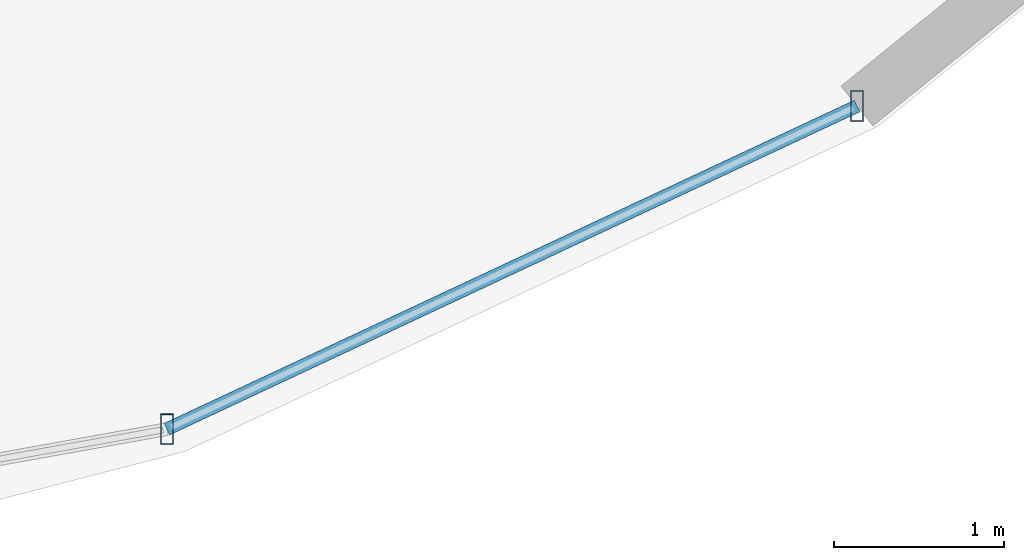
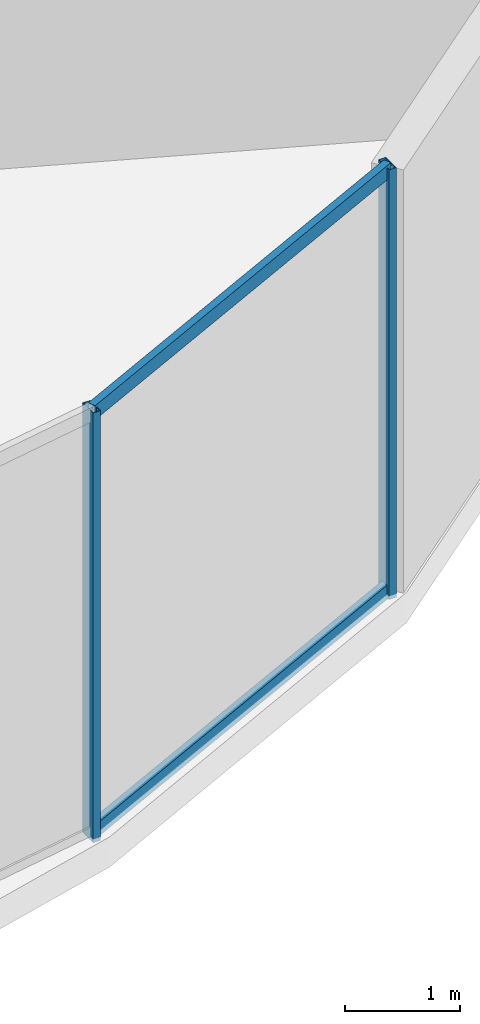
# One storey, part 10 of 27: 4 members, 1 element without a shape of its own.
"""IFC4 building model written with IfcOpenShell, lengths in metres."""

from ifc_helpers import new_model, si_unit, direction, frame, origin, origin_2d, place, context, subcontext, project, spatial, hollow_rectangle, extrude, material, material_profile, profile_set, type_object, element, aggregate, save


model = new_model("IFC4")

# Units and contexts
model_context = context("Model", 3, precision=1e-05, world=origin(), true_north=direction((0.0, 1.0)))
body_context = subcontext(model_context, "Body", "Model", "MODEL_VIEW")
ifc_project = project(units=[si_unit("LENGTHUNIT", "METRE"), si_unit("AREAUNIT", "SQUARE_METRE"), si_unit("VOLUMEUNIT", "CUBIC_METRE"), si_unit("PLANEANGLEUNIT", "RADIAN"), si_unit("MASSUNIT", "GRAM", prefix="KILO")], contexts=[model_context])

# Site, building, storey
site_placement = place(None, origin())
site = spatial("IfcSite", under=ifc_project, at=site_placement, CompositionType="ELEMENT")
building_placement = place(site_placement, origin())
building = spatial("IfcBuilding", under=site, at=building_placement, Name="Vorneva Point Tower", CompositionType="ELEMENT")
storey_placement = place(building_placement, frame((0.0, 0.0, 4.800048828125)))
storey = spatial("IfcBuildingStorey", under=building, at=storey_placement, Name="L01", CompositionType="ELEMENT", Elevation=4.800048828125)

# Curtain wall, members
ifc_material = material(Name="Pale anodised aluminium", Category="aluminium")
curtain_wall_type = type_object("IfcCurtainWallType", Name="CW-POD-SYS", PredefinedType="NOTDEFINED", material=ifc_material)
curtain_wall_placement = place(storey_placement, origin())
curtain_wall = element("IfcCurtainWall", 1, at=curtain_wall_placement, inside=storey, type_object=curtain_wall_type, Name="L01 Unitised Curtain Wall CW-L01-R04", PredefinedType="NOTDEFINED")
ifc_material_profile_1 = material_profile(ifc_material, hollow_rectangle(XDim=0.074951171875, YDim=0.179931640625, WallThickness=0.00390625, at=origin_2d()), Name="AL-MUL 180x75x4")
ifc_profile_set_1 = profile_set([ifc_material_profile_1], Name="Pale anodised aluminium")
member_type_1 = type_object("IfcMemberType", Name="CW-MUL-180", PredefinedType="MULLION", material=ifc_profile_set_1)
member_1_placement = place(storey_placement, frame((61.962890625, 5.135986328125, -0.0400390625), z_axis=(0.0, 0.0, 1.0), x_axis=(1.0, 0.0, 0.0)))
member_1 = element("IfcMember", 2, at=member_1_placement, type_object=member_type_1, Name="CW-L01-R04 Mullion 03", PredefinedType="MULLION", context=body_context, shape_type="SweptSolid", body=[
    extrude(hollow_rectangle(XDim=0.074951171875, YDim=0.179931640625, WallThickness=0.00390625, at=origin_2d()), origin(), (0.0, 0.0, 1.0), 4.550048828125),
])
member_2_placement = place(storey_placement, frame((66.0224609375, 7.03662109375, -0.0400390625), z_axis=(0.0, 0.0, 1.0), x_axis=(1.0, 0.0, 0.0)))
member_2 = element("IfcMember", 3, at=member_2_placement, type_object=member_type_1, Name="CW-L01-R04 Mullion 04", PredefinedType="MULLION", context=body_context, shape_type="SweptSolid", body=[
    extrude(hollow_rectangle(XDim=0.074951171875, YDim=0.179931640625, WallThickness=0.00390625, at=origin_2d()), origin(), (0.0, 0.0, 1.0), 4.550048828125),
])
ifc_material_profile_2 = material_profile(ifc_material, hollow_rectangle(XDim=0.074951171875, YDim=0.14990234375, WallThickness=0.00390625, at=origin_2d()), Name="AL-TRN 150x75x4")
ifc_profile_set_2 = profile_set([ifc_material_profile_2], Name="Pale anodised aluminium")
member_type_2 = type_object("IfcMemberType", Name="CW-TRN-150", PredefinedType="USERDEFINED", material=ifc_profile_set_2)
member_3_placement = place(storey_placement, frame((61.962890625, 5.135986328125, 0.02001953125), z_axis=(0.905655072563, 0.424015199657, 0.0), x_axis=(-0.424015199657, 0.905655072563, 0.0)))
member_3 = element("IfcMember", 4, at=member_3_placement, type_object=member_type_2, Name="CW-L01-R04 Transom 03.1", ObjectType="TRANSOM", PredefinedType="USERDEFINED", context=body_context, shape_type="SweptSolid", body=[
    extrude(hollow_rectangle(XDim=0.074951171875, YDim=0.14990234375, WallThickness=0.00390625, at=origin_2d()), origin(), (0.0, 0.0, 1.0), 4.482421875),
])
member_4_placement = place(storey_placement, frame((61.962890625, 5.135986328125, 4.4599609375), z_axis=(0.905655072563, 0.424015199657, 0.0), x_axis=(-0.424015199657, 0.905655072563, 0.0)))
member_4 = element("IfcMember", 5, at=member_4_placement, type_object=member_type_2, Name="CW-L01-R04 Transom 03.2", ObjectType="TRANSOM", PredefinedType="USERDEFINED", context=body_context, shape_type="SweptSolid", body=[
    extrude(hollow_rectangle(XDim=0.074951171875, YDim=0.14990234375, WallThickness=0.00390625, at=origin_2d()), origin(), (0.0, 0.0, 1.0), 4.482421875),
])
aggregate(curtain_wall, [member_1, member_2, member_3, member_4])

save(model, "model.ifc")
